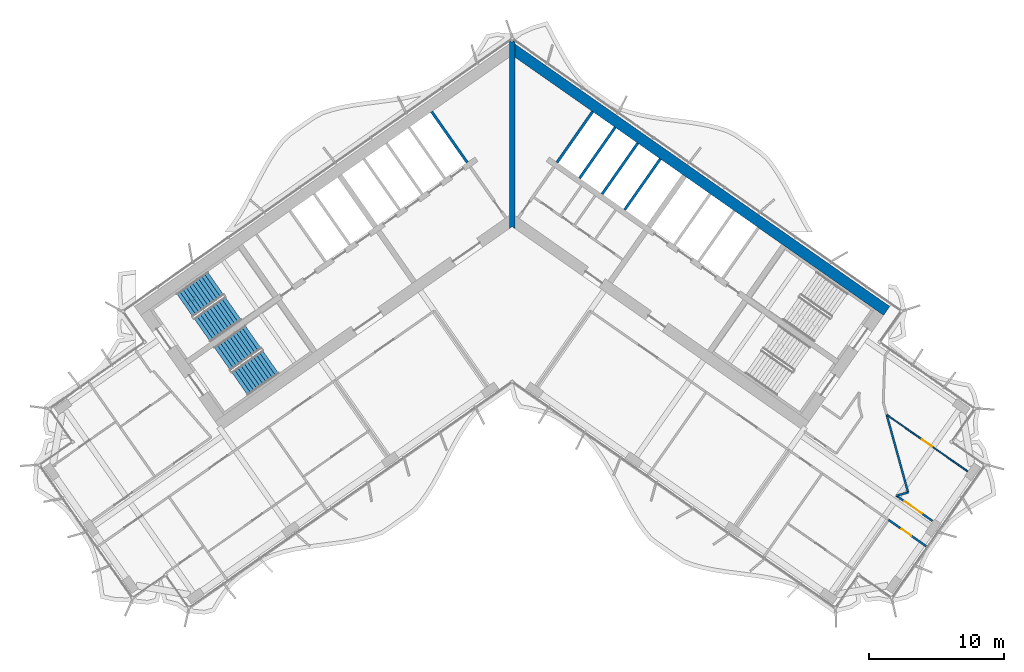
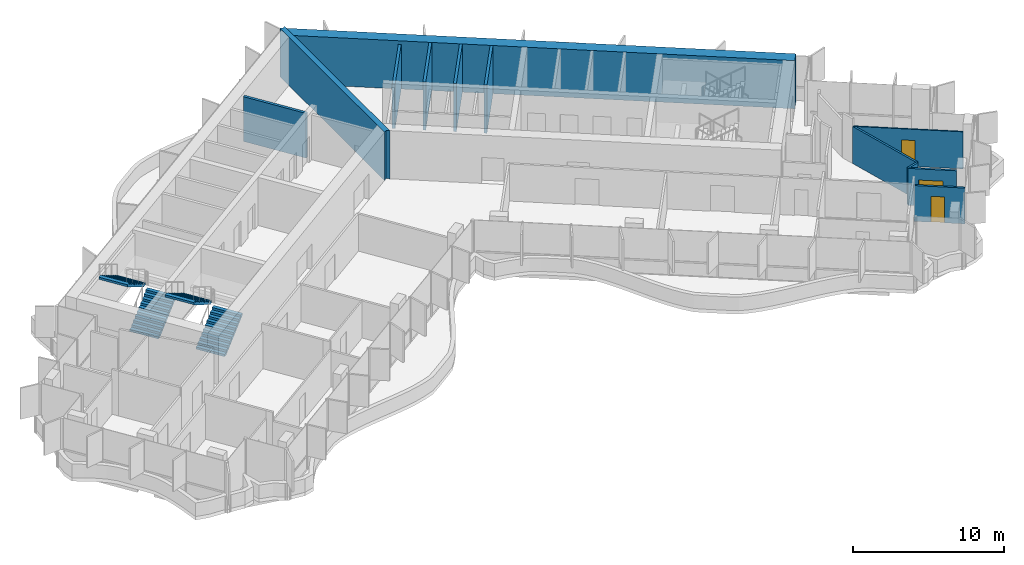
# One storey, part 15 of 21: 12 walls, 4 stair flights, 3 doors, 3 openings, 2 elements without a shape of their own.
"""IFC4 building model written with IfcOpenShell, lengths in metres."""

from ifc_helpers import new_model, si_unit, direction, frame, frame_2d, origin, place, context, subcontext, project, spatial, polyline, rectangle, outline, extrude, material, layer, layer_set, type_object, element, fill, aggregate, save


model = new_model("IFC4")

# Units and contexts
model_context = context("Model", 3, precision=1e-05, world=origin(), true_north=direction((0.0, 1.0)))
body_context = subcontext(model_context, "Body", "Model", "MODEL_VIEW")
ifc_project = project(units=[si_unit("LENGTHUNIT", "METRE"), si_unit("AREAUNIT", "SQUARE_METRE"), si_unit("VOLUMEUNIT", "CUBIC_METRE"), si_unit("PLANEANGLEUNIT", "RADIAN"), si_unit("MASSUNIT", "GRAM", prefix="KILO")], contexts=[model_context])

# Site, building, storey
site_placement = place(None, origin())
site = spatial("IfcSite", under=ifc_project, at=site_placement, CompositionType="ELEMENT")
building_placement = place(site_placement, origin())
building = spatial("IfcBuilding", under=site, at=building_placement, Name="Tel Ilan Convention Tower", CompositionType="ELEMENT")
storey_placement = place(building_placement, frame((0.0, 0.0, 206.10009765625)))
storey = spatial("IfcBuildingStorey", under=building, at=storey_placement, Name="L48", CompositionType="ELEMENT", Elevation=206.10009765625)

# Walls
ifc_material_1 = material(Name="Concrete C30/37", Category="concrete")
ifc_layer_1 = layer(ifc_material_1, 0.199951171875)
ifc_layer_set_1 = layer_set([ifc_layer_1], Name="Core Service Room Wall 200 mm C30/37")
wall_type_1 = type_object("IfcWallType", Name="Core Service Room Wall 200 mm C30/37", PredefinedType="SOLIDWALL", material=ifc_layer_set_1)
for number, where, z_axis, x_axis, name in (
    (1, (-3.32666015625, 3.530517578125, 0.0), (0.0, 0.0, 1.0), (-0.573576324356, 0.819152122709, 0.0), "L48 core wall apex-W-b"),
    (2, (3.32666015625, 3.530517578125, 0.0), (0.0, 0.0, 1.0), (0.573576324356, 0.819152122709, 0.0), "L48 core wall apex-E-b"),
):
    element("IfcWall", number, at=place(storey_placement, frame(where, z_axis=z_axis, x_axis=x_axis)), inside=storey, type_object=wall_type_1, Name=name, PredefinedType="SOLIDWALL", context=body_context, shape_type="SweptSolid", body=[
        extrude(rectangle(XDim=4.599853515625, YDim=0.199951171875, at=frame_2d((2.2998046875, 0.0))), origin(), (0.0, 0.0, 1.0), 3.619873046875),
    ])
ifc_material_2 = material(Name="Concrete C50/60", Category="concrete")
ifc_layer_2 = layer(ifc_material_2, 0.39990234375)
ifc_layer_set_2 = layer_set([ifc_layer_2], Name="Core Shear Wall 400 mm C50/60")
wall_type_2 = type_object("IfcWallType", Name="Core Shear Wall 400 mm C50/60", PredefinedType="SHEAR", material=ifc_layer_set_2)
wall_1_placement = place(storey_placement, frame((0.0, -1.36083984375, 0.0), z_axis=(0.0, 0.0, 1.0), x_axis=(0.0, 1.0, 0.0)))
element("IfcWall", 3, at=wall_1_placement, inside=storey, type_object=wall_type_2, Name="L48 core wall K-central", PredefinedType="SHEAR", context=body_context, shape_type="SweptSolid", body=[
    extrude(outline(polyline([(0.0, -0.199951171875), (0.14013671875, -0.199951171875), (1.0751953125, -0.199951171875), (12.696044921875, -0.199951171875), (13.812744140625, -0.199951171875), (13.893310546875, -0.199951171875), (13.933349609375, -0.172119140625), (13.812744140625, 0.0), (13.933349609375, 0.172119140625), (13.893310546875, 0.199951171875), (13.812744140625, 0.199951171875), (12.696044921875, 0.199951171875), (1.0751953125, 0.199951171875), (0.14013671875, 0.199951171875), (0.0, 0.199951171875), (0.14013671875, 0.0), (0.0, -0.199951171875)])), origin(), (0.0, 0.0, 1.0), 3.89990234375),
])
ifc_material_3 = material(Name="Concrete C50/60", Category="concrete")
ifc_layer_3 = layer(ifc_material_3, 0.800048828125)
ifc_layer_set_3 = layer_set([ifc_layer_3], Name="Core Shear Wall 800 mm C50/60")
wall_type_3 = type_object("IfcWallType", Name="Core Shear Wall 800 mm C50/60", PredefinedType="SHEAR", material=ifc_layer_set_3)
wall_2_placement = place(storey_placement, frame((-0.029296875, 11.984130859375, 0.0), z_axis=(0.0, 0.0, 1.0), x_axis=(0.819151382952, -0.573577380837, 0.0)))
element("IfcWall", 4, at=wall_2_placement, inside=storey, type_object=wall_type_3, Name="L48 core wall E-back", PredefinedType="SHEAR", context=body_context, shape_type="SweptSolid", body=[
    extrude(outline(polyline([(33.897705078125, 0.400146484375), (-0.000244140625, 0.39990234375), (0.56005859375, -0.400146484375), (33.897705078125, -0.39990234375), (33.897705078125, 0.400146484375)])), origin(), (0.0, 0.0, 1.0), 3.89990234375),
])

# Wall, opening, door
ifc_material_4 = material(Name="Plasterboard on Steel Studs", Category="steel")
ifc_layer_4 = layer(ifc_material_4, 0.14990234375)
ifc_layer_set_4 = layer_set([ifc_layer_4], Name="Fire-rated Partition 150 EI 60")
wall_type_4 = type_object("IfcWallType", Name="Fire-rated Partition 150 EI 60", PredefinedType="PARTITIONING", material=ifc_layer_set_4)
wall_3_placement = place(storey_placement, frame((28.4580078125, -21.147216796875, 0.0), z_axis=(0.0, 0.0, 1.0), x_axis=(0.819143929003, -0.573588026006, 0.0)))
wall_3 = element("IfcWall", 5, at=wall_3_placement, inside=storey, type_object=wall_type_4, Name="Partition 002", PredefinedType="PARTITIONING", context=body_context, shape_type="SweptSolid", body=[
    extrude(rectangle(XDim=3.259033203125, YDim=0.14990234375, at=frame_2d((1.62939453125, 0.0))), origin(), (0.0, 0.0, 1.0), 3.0),
])
opening_1_placement = place(wall_3_placement, frame((0.7294921875, 0.0, 0.0)))
opening_1 = element("IfcOpeningElement", 6, at=opening_1_placement, cuts=wall_3, Name="Opening L48-019", PredefinedType="OPENING", context=body_context, shape_type="SweptSolid", body=[
    extrude(rectangle(XDim=1.60009765625, YDim=2.10009765625, at=frame_2d((0.800048828125, 1.050048828125))), frame((0.0, 0.0849609375, 0.0), z_axis=(0.0, -1.0, 0.0), x_axis=(1.0, 0.0, 0.0)), (0.0, 0.0, 1.0), 0.169921875),
])
ifc_material_5 = material(Name="Timber Door Leaf in Steel Frame", Category="steel")
door_type_1 = type_object("IfcDoorType", Name="Tenant Suite Entrance Fire Door 1600x2100", OperationType="NOTDEFINED", PredefinedType="DOOR", material=ifc_material_5)
door_1_placement = place(opening_1_placement, origin())
door_1 = element("IfcDoor", 7, at=door_1_placement, inside=storey, type_object=door_type_1, Name="Door L48-019", OperationType="DOUBLE_DOOR_SINGLE_SWING", OverallHeight=2.10009765625, OverallWidth=1.60009765625, PredefinedType="DOOR", context=body_context, shape_type="SweptSolid", body=[
    extrude(rectangle(XDim=1.60009765625, YDim=2.10009765625, at=frame_2d((0.800048828125, 1.050048828125))), frame((0.0, 0.02490234375, 0.0), z_axis=(0.0, -1.0, 0.0), x_axis=(1.0, 0.0, 0.0)), (0.0, 0.0, 1.0), 0.050048828125),
])
fill(opening_1, door_1)

wall_4_placement = place(storey_placement, frame((30.668701171875, -24.892578125, 0.0), z_axis=(0.0, 0.0, 1.0), x_axis=(-0.819147629048, 0.573582741917, 0.0)))
wall_4 = element("IfcWall", 8, at=wall_4_placement, inside=storey, type_object=wall_type_4, Name="Partition 007", PredefinedType="PARTITIONING", context=body_context, shape_type="SweptSolid", body=[
    extrude(rectangle(XDim=3.402099609375, YDim=0.14990234375, at=frame_2d((1.701171875, 0.0))), origin(), (0.0, 0.0, 1.0), 2.89990234375),
])
opening_2_placement = place(wall_4_placement, frame((1.35107421875, 0.0, 0.0)))
opening_2 = element("IfcOpeningElement", 9, at=opening_2_placement, cuts=wall_4, Name="Opening L48-017", PredefinedType="OPENING", context=body_context, shape_type="SweptSolid", body=[
    extrude(rectangle(XDim=0.89990234375, YDim=2.10009765625, at=frame_2d((0.449951171875, 1.050048828125))), frame((0.0, 0.0849609375, 0.0), z_axis=(0.0, -1.0, 0.0), x_axis=(1.0, 0.0, 0.0)), (0.0, 0.0, 1.0), 0.169921875),
])
ifc_material_6 = material(Name="Timber Door Leaf in Steel Frame", Category="steel")
door_type_2 = type_object("IfcDoorType", Name="Room Fire Door 900x2100", OperationType="NOTDEFINED", PredefinedType="DOOR", material=ifc_material_6)
door_2_placement = place(opening_2_placement, origin())
door_2 = element("IfcDoor", 10, at=door_2_placement, inside=storey, type_object=door_type_2, Name="Door L48-017", OperationType="SINGLE_SWING_LEFT", OverallHeight=2.10009765625, OverallWidth=0.89990234375, PredefinedType="DOOR", context=body_context, shape_type="SweptSolid", body=[
    extrude(rectangle(XDim=0.89990234375, YDim=2.10009765625, at=frame_2d((0.449951171875, 1.050048828125))), frame((0.0, 0.02490234375, 0.0), z_axis=(0.0, -1.0, 0.0), x_axis=(1.0, 0.0, 0.0)), (0.0, 0.0, 1.0), 0.050048828125),
])
fill(opening_2, door_2)

# Walls
wall_5_placement = place(storey_placement, frame((28.45947265625, -21.148193359375, 0.0), z_axis=(0.0, 0.0, 1.0), x_axis=(0.964090868689, 0.265572583131, 0.0)))
element("IfcWall", 11, at=wall_5_placement, inside=storey, type_object=wall_type_4, Name="Partition 023", PredefinedType="PARTITIONING", context=body_context, shape_type="SweptSolid", body=[
    extrude(rectangle(XDim=0.89990234375, YDim=0.14990234375, at=frame_2d((0.449951171875, 0.0))), origin(), (0.0, 0.0, 1.0), 3.0),
])
wall_6_placement = place(storey_placement, frame((29.3271484375, -20.9091796875, 0.0), z_axis=(0.0, 0.0, 1.0), x_axis=(-0.265851730348, 0.964013930123, 0.0)))
element("IfcWall", 12, at=wall_6_placement, inside=storey, type_object=wall_type_4, Name="Partition 024", PredefinedType="PARTITIONING", context=body_context, shape_type="SweptSolid", body=[
    extrude(rectangle(XDim=5.973876953125, YDim=0.14990234375, at=frame_2d((2.98681640625, 0.0))), origin(), (0.0, 0.0, 1.0), 3.0),
])
ifc_material_7 = material(Name="Concrete C30/37", Category="concrete")
ifc_layer_5 = layer(ifc_material_7, 0.199951171875)
ifc_layer_set_5 = layer_set([ifc_layer_5], Name="Lift Shaft Wall 200 mm C30/37")
wall_type_5 = type_object("IfcWallType", Name="Lift Shaft Wall 200 mm C30/37", PredefinedType="SOLIDWALL", material=ifc_layer_set_5)
for number, where, z_axis, x_axis, name in (
    (13, (4.99560546875, 2.36181640625, 0.0), (0.0, 0.0, 1.0), (0.573576324356, 0.819152122709, 0.0), "L48 core wall bank-E1-p0"),
    (14, (6.66455078125, 1.193115234375, 0.0), (0.0, 0.0, 1.0), (0.573576324356, 0.819152122709, 0.0), "L48 core wall bank-E1-p1"),
):
    element("IfcWall", number, at=place(storey_placement, frame(where, z_axis=z_axis, x_axis=x_axis)), inside=storey, type_object=wall_type_5, Name=name, PredefinedType="SOLIDWALL", context=body_context, shape_type="SweptSolid", body=[
        extrude(rectangle(XDim=4.599853515625, YDim=0.199951171875, at=frame_2d((2.2998046875, 0.0))), origin(), (0.0, 0.0, 1.0), 3.89990234375),
    ])
wall_7_placement = place(storey_placement, frame((8.33349609375, 0.0244140625, 0.0), z_axis=(0.0, 0.0, 1.0), x_axis=(0.573611936273, 0.819127185829, 0.0)))
element("IfcWall", 15, at=wall_7_placement, inside=storey, type_object=wall_type_5, Name="L48 core wall bank-E1-p2", PredefinedType="SOLIDWALL", context=body_context, shape_type="SweptSolid", body=[
    extrude(rectangle(XDim=4.60009765625, YDim=0.199951171875, at=frame_2d((2.300048828125, 0.0))), origin(), (0.0, 0.0, 1.0), 3.89990234375),
])

# Wall, opening, door
ifc_material_8 = material(Name="Plasterboard on Steel Studs", Category="steel")
ifc_layer_6 = layer(ifc_material_8, 0.10009765625)
ifc_layer_set_6 = layer_set([ifc_layer_6], Name="Plasterboard Partition 100")
wall_type_6 = type_object("IfcWallType", Name="Plasterboard Partition 100", PredefinedType="PARTITIONING", material=ifc_layer_set_6)
wall_8_placement = place(storey_placement, frame((27.73876953125, -15.14892578125, 0.0), z_axis=(0.0, 0.0, 1.0), x_axis=(0.819156688441, -0.573569803757, 0.0)))
wall_8 = element("IfcWall", 16, at=wall_8_placement, inside=storey, type_object=wall_type_6, Name="Partition 019", PredefinedType="PARTITIONING", context=body_context, shape_type="SweptSolid", body=[
    extrude(rectangle(XDim=7.318603515625, YDim=0.10009765625, at=frame_2d((3.6591796875, 0.0))), origin(), (0.0, 0.0, 1.0), 3.0),
])
opening_3_placement = place(wall_8_placement, frame((3.20947265625, 0.0, 0.0)))
opening_3 = element("IfcOpeningElement", 17, at=opening_3_placement, cuts=wall_8, Name="Opening L48-020", PredefinedType="OPENING", context=body_context, shape_type="SweptSolid", body=[
    extrude(rectangle(XDim=0.89990234375, YDim=2.10009765625, at=frame_2d((0.449951171875, 1.050048828125))), frame((0.0, 0.06005859375, 0.0), z_axis=(0.0, -1.0, 0.0), x_axis=(1.0, 0.0, 0.0)), (0.0, 0.0, 1.0), 0.1201171875),
])
ifc_material_9 = material(Name="Timber Door Leaf in Steel Frame", Category="steel")
door_type_3 = type_object("IfcDoorType", Name="Room Timber Door 900x2100", OperationType="NOTDEFINED", PredefinedType="DOOR", material=ifc_material_9)
door_3_placement = place(opening_3_placement, origin())
door_3 = element("IfcDoor", 18, at=door_3_placement, inside=storey, type_object=door_type_3, Name="Door L48-020", OperationType="SINGLE_SWING_LEFT", OverallHeight=2.10009765625, OverallWidth=0.89990234375, PredefinedType="DOOR", context=body_context, shape_type="SweptSolid", body=[
    extrude(rectangle(XDim=0.89990234375, YDim=2.10009765625, at=frame_2d((0.449951171875, 1.050048828125))), frame((0.0, 0.02490234375, 0.0), z_axis=(0.0, -1.0, 0.0), x_axis=(1.0, 0.0, 0.0)), (0.0, 0.0, 1.0), 0.050048828125),
])
fill(opening_3, door_3)

# Stair, stair flights
ifc_material_10 = material(Name="Concrete C40/50", Category="concrete")
stair_type = type_object("IfcStairType", Name="Pressurised Exit Stair 22 risers 177 mm", PredefinedType="HALF_TURN_STAIR", material=ifc_material_10)
stair_1_placement = place(storey_placement, origin())
stair_1 = element("IfcStair", 19, at=stair_1_placement, inside=storey, type_object=stair_type, Name="L48 Pressurised Stair S1", PredefinedType="HALF_TURN_STAIR")
ifc_material_11 = material(Name="Precast Concrete C40/50", Category="concrete")
stair_flight_type = type_object("IfcStairFlightType", Name="Concrete Stair Flight 2100 mm 22 risers 177 mm", PredefinedType="STRAIGHT", material=ifc_material_11)
stair_flight_1_placement = place(storey_placement, frame((-22.9619140625, -8.87548828125, 0.0), z_axis=(0.0, 0.0, 1.0), x_axis=(0.819152044289, 0.573576436351, 0.0)))
stair_flight_1 = element("IfcStairFlight", 20, at=stair_flight_1_placement, type_object=stair_flight_type, Name="S1 flight 1", NumberOfRisers=11, NumberOfTreads=10, PredefinedType="STRAIGHT", RiserHeight=0.177272727, TreadLength=0.28, context=body_context, shape_type="SweptSolid", body=[
    extrude(outline(polyline([(0.0, 0.0), (0.0, 0.17724609375), (0.280029296875, 0.17724609375), (0.280029296875, 0.3544921875), (0.56005859375, 0.3544921875), (0.56005859375, 0.53173828125), (0.840087890625, 0.53173828125), (0.840087890625, 0.708984375), (1.1201171875, 0.708984375), (1.1201171875, 0.886474609375), (1.39990234375, 0.886474609375), (1.39990234375, 1.063720703125), (1.679931640625, 1.063720703125), (1.679931640625, 1.240966796875), (1.9599609375, 1.240966796875), (1.9599609375, 1.418212890625), (2.239990234375, 1.418212890625), (2.239990234375, 1.595458984375), (2.52001953125, 1.595458984375), (2.52001953125, 1.772705078125), (2.800048828125, 1.772705078125), (2.800048828125, 1.949951171875), (2.800048828125, 1.59521484375), (0.2802734375, 0.0), (0.0, 0.0)])), frame((0.0, -0.100341796875, 0.0), z_axis=(0.0, -1.0, 0.0), x_axis=(1.0, 0.0, 0.0)), (0.0, 0.0, 1.0), 0.94970703125),
    extrude(outline(polyline([(0.0, 0.0), (0.0, 0.17724609375), (0.280029296875, 0.17724609375), (0.280029296875, 0.3544921875), (0.56005859375, 0.3544921875), (0.56005859375, 0.53173828125), (0.840087890625, 0.53173828125), (0.840087890625, 0.708984375), (1.1201171875, 0.708984375), (1.1201171875, 0.886474609375), (1.39990234375, 0.886474609375), (1.39990234375, 1.063720703125), (1.679931640625, 1.063720703125), (1.679931640625, 1.240966796875), (1.9599609375, 1.240966796875), (1.9599609375, 1.418212890625), (2.239990234375, 1.418212890625), (2.239990234375, 1.595458984375), (2.52001953125, 1.595458984375), (2.52001953125, 1.772705078125), (2.800048828125, 1.772705078125), (2.800048828125, 1.949951171875), (2.800048828125, 1.59521484375), (0.2802734375, 0.0), (0.0, 0.0)])), frame((0.0, -0.000244140625, 0.0), z_axis=(0.0, -1.0, 0.0), x_axis=(1.0, 0.0, 0.0)), (0.0, 0.0, 1.0), 0.099609375),
    extrude(outline(polyline([(0.0, 0.0), (0.0, 0.17724609375), (0.280029296875, 0.17724609375), (0.280029296875, 0.3544921875), (0.56005859375, 0.3544921875), (0.56005859375, 0.53173828125), (0.840087890625, 0.53173828125), (0.840087890625, 0.708984375), (1.1201171875, 0.708984375), (1.1201171875, 0.886474609375), (1.39990234375, 0.886474609375), (1.39990234375, 1.063720703125), (1.679931640625, 1.063720703125), (1.679931640625, 1.240966796875), (1.9599609375, 1.240966796875), (1.9599609375, 1.418212890625), (2.239990234375, 1.418212890625), (2.239990234375, 1.595458984375), (2.52001953125, 1.595458984375), (2.52001953125, 1.772705078125), (2.800048828125, 1.772705078125), (2.800048828125, 1.949951171875), (2.800048828125, 1.59521484375), (0.2802734375, 0.0), (0.0, 0.0)])), frame((0.0, 0.099853515625, 0.0), z_axis=(0.0, -1.0, 0.0), x_axis=(1.0, 0.0, 0.0)), (0.0, 0.0, 1.0), 0.099609375),
    extrude(outline(polyline([(0.0, 0.0), (0.0, 0.17724609375), (0.280029296875, 0.17724609375), (0.280029296875, 0.3544921875), (0.56005859375, 0.3544921875), (0.56005859375, 0.53173828125), (0.840087890625, 0.53173828125), (0.840087890625, 0.708984375), (1.1201171875, 0.708984375), (1.1201171875, 0.886474609375), (1.39990234375, 0.886474609375), (1.39990234375, 1.063720703125), (1.679931640625, 1.063720703125), (1.679931640625, 1.240966796875), (1.9599609375, 1.240966796875), (1.9599609375, 1.418212890625), (2.239990234375, 1.418212890625), (2.239990234375, 1.595458984375), (2.52001953125, 1.595458984375), (2.52001953125, 1.772705078125), (2.800048828125, 1.772705078125), (2.800048828125, 1.949951171875), (2.800048828125, 1.59521484375), (0.2802734375, 0.0), (0.0, 0.0)])), frame((0.0, 1.050048828125, 0.0), z_axis=(0.0, -1.0, 0.0), x_axis=(1.0, 0.0, 0.0)), (0.0, 0.0, 1.0), 0.94970703125),
])
stair_flight_2_placement = place(storey_placement, frame((-21.958740234375, -5.42626953125, 1.949951171875), z_axis=(0.0, 0.0, 1.0), x_axis=(-0.819152044289, -0.573576436351, 0.0)))
stair_flight_2 = element("IfcStairFlight", 21, at=stair_flight_2_placement, type_object=stair_flight_type, Name="S1 flight 2", NumberOfRisers=11, NumberOfTreads=10, PredefinedType="STRAIGHT", RiserHeight=0.177272727, TreadLength=0.28, context=body_context, shape_type="SweptSolid", body=[
    extrude(outline(polyline([(0.0, 0.0), (0.0, 0.17724609375), (0.280029296875, 0.17724609375), (0.280029296875, 0.3544921875), (0.56005859375, 0.3544921875), (0.56005859375, 0.53173828125), (0.840087890625, 0.53173828125), (0.840087890625, 0.708984375), (1.1201171875, 0.708984375), (1.1201171875, 0.886474609375), (1.39990234375, 0.886474609375), (1.39990234375, 1.063720703125), (1.679931640625, 1.063720703125), (1.679931640625, 1.240966796875), (1.9599609375, 1.240966796875), (1.9599609375, 1.418212890625), (2.239990234375, 1.418212890625), (2.239990234375, 1.595458984375), (2.52001953125, 1.595458984375), (2.52001953125, 1.772705078125), (2.800048828125, 1.772705078125), (2.800048828125, 1.949951171875), (2.800048828125, 1.59521484375), (0.2802734375, 0.0), (0.0, 0.0)])), frame((0.0, -0.100341796875, 0.0), z_axis=(0.0, -1.0, 0.0), x_axis=(1.0, 0.0, 0.0)), (0.0, 0.0, 1.0), 0.94970703125),
    extrude(outline(polyline([(0.0, 0.0), (0.0, 0.17724609375), (0.280029296875, 0.17724609375), (0.280029296875, 0.3544921875), (0.56005859375, 0.3544921875), (0.56005859375, 0.53173828125), (0.840087890625, 0.53173828125), (0.840087890625, 0.708984375), (1.1201171875, 0.708984375), (1.1201171875, 0.886474609375), (1.39990234375, 0.886474609375), (1.39990234375, 1.063720703125), (1.679931640625, 1.063720703125), (1.679931640625, 1.240966796875), (1.9599609375, 1.240966796875), (1.9599609375, 1.418212890625), (2.239990234375, 1.418212890625), (2.239990234375, 1.595458984375), (2.52001953125, 1.595458984375), (2.52001953125, 1.772705078125), (2.800048828125, 1.772705078125), (2.800048828125, 1.949951171875), (2.800048828125, 1.59521484375), (0.2802734375, 0.0), (0.0, 0.0)])), frame((0.0, -0.000244140625, 0.0), z_axis=(0.0, -1.0, 0.0), x_axis=(1.0, 0.0, 0.0)), (0.0, 0.0, 1.0), 0.099609375),
    extrude(outline(polyline([(0.0, 0.0), (0.0, 0.17724609375), (0.280029296875, 0.17724609375), (0.280029296875, 0.3544921875), (0.56005859375, 0.3544921875), (0.56005859375, 0.53173828125), (0.840087890625, 0.53173828125), (0.840087890625, 0.708984375), (1.1201171875, 0.708984375), (1.1201171875, 0.886474609375), (1.39990234375, 0.886474609375), (1.39990234375, 1.063720703125), (1.679931640625, 1.063720703125), (1.679931640625, 1.240966796875), (1.9599609375, 1.240966796875), (1.9599609375, 1.418212890625), (2.239990234375, 1.418212890625), (2.239990234375, 1.595458984375), (2.52001953125, 1.595458984375), (2.52001953125, 1.772705078125), (2.800048828125, 1.772705078125), (2.800048828125, 1.949951171875), (2.800048828125, 1.59521484375), (0.2802734375, 0.0), (0.0, 0.0)])), frame((0.0, 0.099853515625, 0.0), z_axis=(0.0, -1.0, 0.0), x_axis=(1.0, 0.0, 0.0)), (0.0, 0.0, 1.0), 0.099609375),
    extrude(outline(polyline([(0.0, 0.0), (0.0, 0.17724609375), (0.280029296875, 0.17724609375), (0.280029296875, 0.3544921875), (0.56005859375, 0.3544921875), (0.56005859375, 0.53173828125), (0.840087890625, 0.53173828125), (0.840087890625, 0.708984375), (1.1201171875, 0.708984375), (1.1201171875, 0.886474609375), (1.39990234375, 0.886474609375), (1.39990234375, 1.063720703125), (1.679931640625, 1.063720703125), (1.679931640625, 1.240966796875), (1.9599609375, 1.240966796875), (1.9599609375, 1.418212890625), (2.239990234375, 1.418212890625), (2.239990234375, 1.595458984375), (2.52001953125, 1.595458984375), (2.52001953125, 1.772705078125), (2.800048828125, 1.772705078125), (2.800048828125, 1.949951171875), (2.800048828125, 1.59521484375), (0.2802734375, 0.0), (0.0, 0.0)])), frame((0.0, 1.050048828125, 0.0), z_axis=(0.0, -1.0, 0.0), x_axis=(1.0, 0.0, 0.0)), (0.0, 0.0, 1.0), 0.94970703125),
])
aggregate(stair_1, [stair_flight_1, stair_flight_2])

stair_2_placement = place(storey_placement, origin())
stair_2 = element("IfcStair", 22, at=stair_2_placement, inside=storey, type_object=stair_type, Name="L48 Pressurised Stair S2", PredefinedType="HALF_TURN_STAIR")
stair_flight_3_placement = place(storey_placement, frame((-20.179931640625, -12.848388671875, 0.0), z_axis=(0.0, 0.0, 1.0), x_axis=(0.819152044289, 0.573576436351, 0.0)))
stair_flight_3 = element("IfcStairFlight", 23, at=stair_flight_3_placement, type_object=stair_flight_type, Name="S2 flight 1", NumberOfRisers=11, NumberOfTreads=10, PredefinedType="STRAIGHT", RiserHeight=0.177272727, TreadLength=0.28, context=body_context, shape_type="SweptSolid", body=[
    extrude(outline(polyline([(0.0, 0.0), (0.0, 0.17724609375), (0.280029296875, 0.17724609375), (0.280029296875, 0.3544921875), (0.56005859375, 0.3544921875), (0.56005859375, 0.53173828125), (0.840087890625, 0.53173828125), (0.840087890625, 0.708984375), (1.1201171875, 0.708984375), (1.1201171875, 0.886474609375), (1.39990234375, 0.886474609375), (1.39990234375, 1.063720703125), (1.679931640625, 1.063720703125), (1.679931640625, 1.240966796875), (1.9599609375, 1.240966796875), (1.9599609375, 1.418212890625), (2.239990234375, 1.418212890625), (2.239990234375, 1.595458984375), (2.52001953125, 1.595458984375), (2.52001953125, 1.772705078125), (2.800048828125, 1.772705078125), (2.800048828125, 1.949951171875), (2.800048828125, 1.59521484375), (0.2802734375, 0.0), (0.0, 0.0)])), frame((0.0, -0.100341796875, 0.0), z_axis=(0.0, -1.0, 0.0), x_axis=(1.0, 0.0, 0.0)), (0.0, 0.0, 1.0), 0.94970703125),
    extrude(outline(polyline([(0.0, 0.0), (0.0, 0.17724609375), (0.280029296875, 0.17724609375), (0.280029296875, 0.3544921875), (0.56005859375, 0.3544921875), (0.56005859375, 0.53173828125), (0.840087890625, 0.53173828125), (0.840087890625, 0.708984375), (1.1201171875, 0.708984375), (1.1201171875, 0.886474609375), (1.39990234375, 0.886474609375), (1.39990234375, 1.063720703125), (1.679931640625, 1.063720703125), (1.679931640625, 1.240966796875), (1.9599609375, 1.240966796875), (1.9599609375, 1.418212890625), (2.239990234375, 1.418212890625), (2.239990234375, 1.595458984375), (2.52001953125, 1.595458984375), (2.52001953125, 1.772705078125), (2.800048828125, 1.772705078125), (2.800048828125, 1.949951171875), (2.800048828125, 1.59521484375), (0.2802734375, 0.0), (0.0, 0.0)])), frame((0.0, -0.000244140625, 0.0), z_axis=(0.0, -1.0, 0.0), x_axis=(1.0, 0.0, 0.0)), (0.0, 0.0, 1.0), 0.099609375),
    extrude(outline(polyline([(0.0, 0.0), (0.0, 0.17724609375), (0.280029296875, 0.17724609375), (0.280029296875, 0.3544921875), (0.56005859375, 0.3544921875), (0.56005859375, 0.53173828125), (0.840087890625, 0.53173828125), (0.840087890625, 0.708984375), (1.1201171875, 0.708984375), (1.1201171875, 0.886474609375), (1.39990234375, 0.886474609375), (1.39990234375, 1.063720703125), (1.679931640625, 1.063720703125), (1.679931640625, 1.240966796875), (1.9599609375, 1.240966796875), (1.9599609375, 1.418212890625), (2.239990234375, 1.418212890625), (2.239990234375, 1.595458984375), (2.52001953125, 1.595458984375), (2.52001953125, 1.772705078125), (2.800048828125, 1.772705078125), (2.800048828125, 1.949951171875), (2.800048828125, 1.59521484375), (0.2802734375, 0.0), (0.0, 0.0)])), frame((0.0, 0.099853515625, 0.0), z_axis=(0.0, -1.0, 0.0), x_axis=(1.0, 0.0, 0.0)), (0.0, 0.0, 1.0), 0.099609375),
    extrude(outline(polyline([(0.0, 0.0), (0.0, 0.17724609375), (0.280029296875, 0.17724609375), (0.280029296875, 0.3544921875), (0.56005859375, 0.3544921875), (0.56005859375, 0.53173828125), (0.840087890625, 0.53173828125), (0.840087890625, 0.708984375), (1.1201171875, 0.708984375), (1.1201171875, 0.886474609375), (1.39990234375, 0.886474609375), (1.39990234375, 1.063720703125), (1.679931640625, 1.063720703125), (1.679931640625, 1.240966796875), (1.9599609375, 1.240966796875), (1.9599609375, 1.418212890625), (2.239990234375, 1.418212890625), (2.239990234375, 1.595458984375), (2.52001953125, 1.595458984375), (2.52001953125, 1.772705078125), (2.800048828125, 1.772705078125), (2.800048828125, 1.949951171875), (2.800048828125, 1.59521484375), (0.2802734375, 0.0), (0.0, 0.0)])), frame((0.0, 1.050048828125, 0.0), z_axis=(0.0, -1.0, 0.0), x_axis=(1.0, 0.0, 0.0)), (0.0, 0.0, 1.0), 0.94970703125),
])
stair_flight_4_placement = place(storey_placement, frame((-19.177001953125, -9.399169921875, 1.949951171875), z_axis=(0.0, 0.0, 1.0), x_axis=(-0.819152044289, -0.573576436351, 0.0)))
stair_flight_4 = element("IfcStairFlight", 24, at=stair_flight_4_placement, type_object=stair_flight_type, Name="S2 flight 2", NumberOfRisers=11, NumberOfTreads=10, PredefinedType="STRAIGHT", RiserHeight=0.177272727, TreadLength=0.28, context=body_context, shape_type="SweptSolid", body=[
    extrude(outline(polyline([(0.0, 0.0), (0.0, 0.17724609375), (0.280029296875, 0.17724609375), (0.280029296875, 0.3544921875), (0.56005859375, 0.3544921875), (0.56005859375, 0.53173828125), (0.840087890625, 0.53173828125), (0.840087890625, 0.708984375), (1.1201171875, 0.708984375), (1.1201171875, 0.886474609375), (1.39990234375, 0.886474609375), (1.39990234375, 1.063720703125), (1.679931640625, 1.063720703125), (1.679931640625, 1.240966796875), (1.9599609375, 1.240966796875), (1.9599609375, 1.418212890625), (2.239990234375, 1.418212890625), (2.239990234375, 1.595458984375), (2.52001953125, 1.595458984375), (2.52001953125, 1.772705078125), (2.800048828125, 1.772705078125), (2.800048828125, 1.949951171875), (2.800048828125, 1.59521484375), (0.2802734375, 0.0), (0.0, 0.0)])), frame((0.0, -0.100341796875, 0.0), z_axis=(0.0, -1.0, 0.0), x_axis=(1.0, 0.0, 0.0)), (0.0, 0.0, 1.0), 0.94970703125),
    extrude(outline(polyline([(0.0, 0.0), (0.0, 0.17724609375), (0.280029296875, 0.17724609375), (0.280029296875, 0.3544921875), (0.56005859375, 0.3544921875), (0.56005859375, 0.53173828125), (0.840087890625, 0.53173828125), (0.840087890625, 0.708984375), (1.1201171875, 0.708984375), (1.1201171875, 0.886474609375), (1.39990234375, 0.886474609375), (1.39990234375, 1.063720703125), (1.679931640625, 1.063720703125), (1.679931640625, 1.240966796875), (1.9599609375, 1.240966796875), (1.9599609375, 1.418212890625), (2.239990234375, 1.418212890625), (2.239990234375, 1.595458984375), (2.52001953125, 1.595458984375), (2.52001953125, 1.772705078125), (2.800048828125, 1.772705078125), (2.800048828125, 1.949951171875), (2.800048828125, 1.59521484375), (0.2802734375, 0.0), (0.0, 0.0)])), frame((0.0, -0.000244140625, 0.0), z_axis=(0.0, -1.0, 0.0), x_axis=(1.0, 0.0, 0.0)), (0.0, 0.0, 1.0), 0.099609375),
    extrude(outline(polyline([(0.0, 0.0), (0.0, 0.17724609375), (0.280029296875, 0.17724609375), (0.280029296875, 0.3544921875), (0.56005859375, 0.3544921875), (0.56005859375, 0.53173828125), (0.840087890625, 0.53173828125), (0.840087890625, 0.708984375), (1.1201171875, 0.708984375), (1.1201171875, 0.886474609375), (1.39990234375, 0.886474609375), (1.39990234375, 1.063720703125), (1.679931640625, 1.063720703125), (1.679931640625, 1.240966796875), (1.9599609375, 1.240966796875), (1.9599609375, 1.418212890625), (2.239990234375, 1.418212890625), (2.239990234375, 1.595458984375), (2.52001953125, 1.595458984375), (2.52001953125, 1.772705078125), (2.800048828125, 1.772705078125), (2.800048828125, 1.949951171875), (2.800048828125, 1.59521484375), (0.2802734375, 0.0), (0.0, 0.0)])), frame((0.0, 0.099853515625, 0.0), z_axis=(0.0, -1.0, 0.0), x_axis=(1.0, 0.0, 0.0)), (0.0, 0.0, 1.0), 0.099609375),
    extrude(outline(polyline([(0.0, 0.0), (0.0, 0.17724609375), (0.280029296875, 0.17724609375), (0.280029296875, 0.3544921875), (0.56005859375, 0.3544921875), (0.56005859375, 0.53173828125), (0.840087890625, 0.53173828125), (0.840087890625, 0.708984375), (1.1201171875, 0.708984375), (1.1201171875, 0.886474609375), (1.39990234375, 0.886474609375), (1.39990234375, 1.063720703125), (1.679931640625, 1.063720703125), (1.679931640625, 1.240966796875), (1.9599609375, 1.240966796875), (1.9599609375, 1.418212890625), (2.239990234375, 1.418212890625), (2.239990234375, 1.595458984375), (2.52001953125, 1.595458984375), (2.52001953125, 1.772705078125), (2.800048828125, 1.772705078125), (2.800048828125, 1.949951171875), (2.800048828125, 1.59521484375), (0.2802734375, 0.0), (0.0, 0.0)])), frame((0.0, 1.050048828125, 0.0), z_axis=(0.0, -1.0, 0.0), x_axis=(1.0, 0.0, 0.0)), (0.0, 0.0, 1.0), 0.94970703125),
])
aggregate(stair_2, [stair_flight_3, stair_flight_4])

save(model, "model.ifc")
